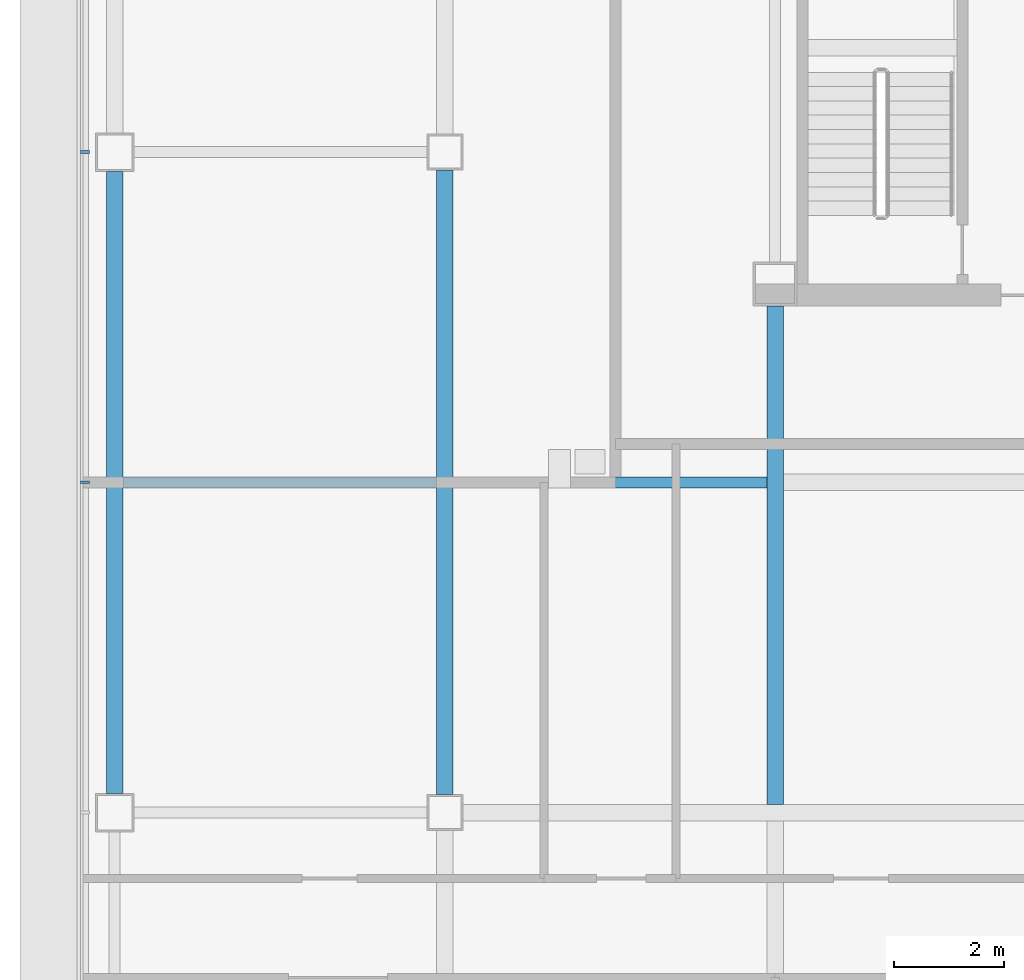
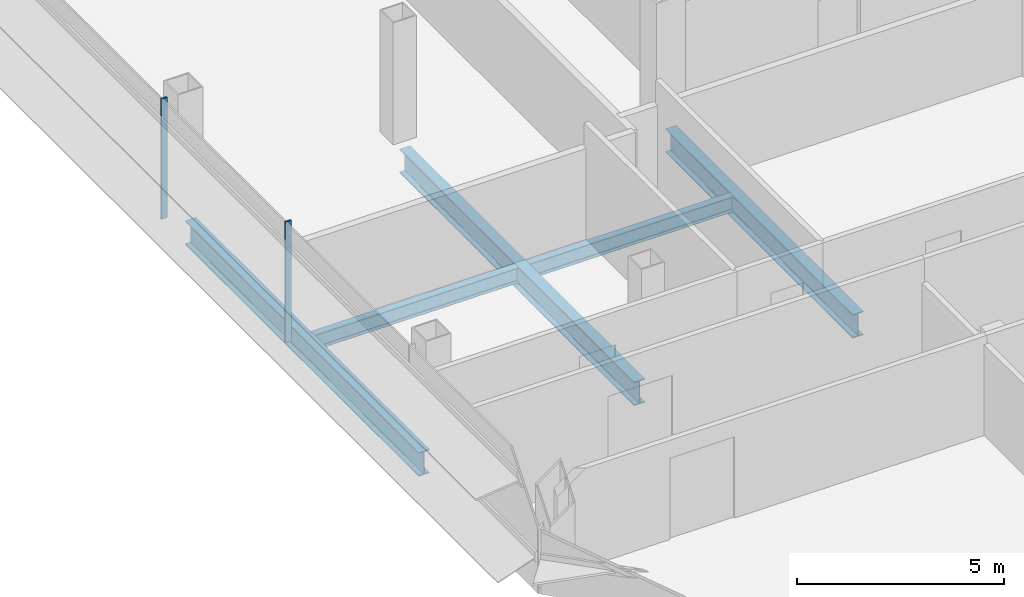
# One storey, part 4 of 26: 5 beams, 2 members, 1 element without a shape of its own.
"""IFC4 building model written with IfcOpenShell, lengths in metres."""

import ifcopenshell
import ifcopenshell.guid

model = None  # the IFC model being written
_history = None  # IfcOwnerHistory: only IFC2X3 demands one
_inside = {}  # id of a spatial element -> (the spatial element, [elements in it])
_under = {}  # id of a project, library or spatial element -> (it, [spatial elements below it])
_declared = {}  # id of a project -> (the project, [libraries it declares])
_typed = {}  # id of a type object -> (the type object, [elements of that type])
_made_of = {}  # id of a material, layer set ... -> (it, [elements and type objects made of it])


def new_model(schema):
    """Start an empty IFC model of exactly this schema.

    Asked for "IFC4X3", IfcOpenShell would pick the latest addendum, in which some entities
    have other attributes; the version numbers below select the first issue.
    IFC2X3 requires an IfcOwnerHistory on every rooted entity: one is made here for all.
    """
    global model, _history
    if schema == "IFC4X3":
        model = ifcopenshell.file(schema_version=(4, 3, 0, 0))
    else:
        model = ifcopenshell.file(schema=schema)
    _inside.clear()
    _under.clear()
    _declared.clear()
    _typed.clear()
    _made_of.clear()
    _history = None
    if model.schema == "IFC2X3":
        org = make("IfcOrganization", Name="unknown")
        user = make(
            "IfcPersonAndOrganization",
            ThePerson=make("IfcPerson", FamilyName="unknown"),
            TheOrganization=org,
        )
        app = make(
            "IfcApplication",
            ApplicationDeveloper=org,
            Version="unknown",
            ApplicationFullName="unknown",
            ApplicationIdentifier="unknown",
        )
        _history = make(
            "IfcOwnerHistory",
            OwningUser=user,
            OwningApplication=app,
            ChangeAction="ADDED",
            CreationDate=0,
        )
    return model


def make(cls, **values):
    """One entity of the class cls with the attributes given. An attribute that is None is left unset."""
    return model.create_entity(
        cls, **{name: value for name, value in values.items() if value is not None}
    )


def rooted(cls, **values):
    """An entity with a GlobalId (a new one), such as an element, a storey or a relation."""
    return make(cls, GlobalId=ifcopenshell.guid.new(), OwnerHistory=_history, **values)


def si_unit(unit_type, name, prefix=None):
    """IfcSIUnit, for example si_unit("LENGTHUNIT", "METRE", prefix="MILLI")."""
    return make("IfcSIUnit", UnitType=unit_type, Prefix=prefix, Name=name)


def assignment(units):
    """IfcUnitAssignment: the units of a project."""
    return None if units is None else make("IfcUnitAssignment", Units=units)


def point(xyz):
    """IfcCartesianPoint."""
    return None if xyz is None else make("IfcCartesianPoint", Coordinates=xyz)


def direction(xyz):
    """IfcDirection."""
    return None if xyz is None else make("IfcDirection", DirectionRatios=xyz)


def frame(location, z_axis=None, x_axis=None):
    """IfcAxis2Placement3D, a coordinate frame: its origin and axes. An axis left out is left unset."""
    return make(
        "IfcAxis2Placement3D",
        Location=point(location),
        Axis=direction(z_axis),
        RefDirection=direction(x_axis),
    )


def frame_2d(location, x_axis=None):
    """IfcAxis2Placement2D, a coordinate frame in the plane: its origin and x axis."""
    return make(
        "IfcAxis2Placement2D", Location=point(location), RefDirection=direction(x_axis)
    )


def origin():
    """The frame at (0, 0, 0) with its axes left unset."""
    return frame((0.0, 0.0, 0.0))


def origin_2d():
    """The frame at (0, 0) in the plane with its x axis left unset."""
    return frame_2d((0.0, 0.0))


def place(relative_to, where):
    """IfcLocalPlacement: puts the frame where relative to a parent placement (None: the world)."""
    return make(
        "IfcLocalPlacement", PlacementRelTo=relative_to, RelativePlacement=where
    )


def context(
    kind, dimensions, precision=None, world=None, true_north=None, identifier=None
):
    """IfcGeometricRepresentationContext, for example the 3D "Model" context."""
    return make(
        "IfcGeometricRepresentationContext",
        ContextIdentifier=identifier,
        ContextType=kind,
        CoordinateSpaceDimension=dimensions,
        Precision=precision,
        WorldCoordinateSystem=world,
        TrueNorth=true_north,
    )


def subcontext(parent, identifier, kind, view, scale=None):
    """IfcGeometricRepresentationSubContext, for example "Body" below "Model"."""
    return make(
        "IfcGeometricRepresentationSubContext",
        ContextIdentifier=identifier,
        ContextType=kind,
        ParentContext=parent,
        TargetScale=scale,
        TargetView=view,
    )


def project(units=None, contexts=None):
    """IfcProject with its units and contexts."""
    return rooted(
        "IfcProject",
        Name="project",
        RepresentationContexts=contexts,
        UnitsInContext=assignment(units),
    )


def spatial(cls, under=None, at=None, **own):
    """A site, building, storey or space (cls), placed at a placement, below another one or the project."""
    s = rooted(cls, ObjectPlacement=at, **own)
    if under is not None:
        _under.setdefault(under.id(), (under, []))[1].append(s)
    return s


def profile(cls, at=None, kind="AREA", **sizes):
    """A parametric profile (cls). Its sizes go by their IFC names, for example OverallWidth=200.0."""
    return make(cls, ProfileType=kind, Position=at, **sizes)


def rectangle(**sizes):
    """IfcRectangleProfileDef."""
    return profile("IfcRectangleProfileDef", **sizes)


def i_section(**sizes):
    """IfcIShapeProfileDef."""
    return profile("IfcIShapeProfileDef", **sizes)


def extrude(swept, where, along, depth):
    """IfcExtrudedAreaSolid: the profile swept, set in the frame where, extruded along a direction by depth."""
    return make(
        "IfcExtrudedAreaSolid",
        SweptArea=swept,
        Position=where,
        ExtrudedDirection=direction(along),
        Depth=depth,
    )


def shape(context_of_items, identifier, shape_type, items):
    """IfcShapeRepresentation: the items that make up one representation, for example the "Body"."""
    return make(
        "IfcShapeRepresentation",
        ContextOfItems=context_of_items,
        RepresentationIdentifier=identifier,
        RepresentationType=shape_type,
        Items=items,
    )


def material(Name=None, Category=None):
    """IfcMaterial."""
    return make("IfcMaterial", Name=Name, Category=Category)


def material_profile(
    of_material, cross_section, Name=None, Category=None, Priority=None
):
    """IfcMaterialProfile: a cross section and its material."""
    return make(
        "IfcMaterialProfile",
        Name=Name,
        Material=of_material,
        Profile=cross_section,
        Priority=Priority,
        Category=Category,
    )


def profile_set(profiles, Name=None, composite=None):
    """IfcMaterialProfileSet."""
    return make(
        "IfcMaterialProfileSet",
        Name=Name,
        MaterialProfiles=profiles,
        CompositeProfile=composite,
    )


def made_of(thing, what):
    """Note that an element or type object is made of a material, layer set ...; save() writes the relation."""
    if what is not None:
        _made_of.setdefault(what.id(), (what, []))[1].append(thing)
    return thing


def type_object(cls, material=None, **own):
    """A type object (cls), such as IfcWallType, which elements share."""
    return made_of(rooted(cls, **own), material)


def element(
    cls,
    number,
    at=None,
    inside=None,
    cuts=None,
    type_object=None,
    material=None,
    context=None,
    identifier="Body",
    shape_type=None,
    held_by="IfcProductDefinitionShape",
    body=None,
    shapes=None,
    **own,
):
    """One element of the class cls, such as IfcWall. Its Tag is "e" and its number.

    at: its placement. inside: the storey or other place that contains it. cuts: it is an
    opening in that element (IfcRelVoidsElement). A single representation is given by context,
    identifier, shape_type and body (its items); several are given by shapes. held_by: the class
    of the entity that holds the representations. save() writes the other relations.
    """
    e = rooted(cls, Tag="e%d" % number, ObjectPlacement=at, **own)
    if body is not None:
        shapes = [shape(context, identifier, shape_type, body)]
    if shapes is not None:
        e.Representation = make(held_by, Representations=shapes)
    if inside is not None:
        _inside.setdefault(inside.id(), (inside, []))[1].append(e)
    if cuts is not None:
        rooted(
            "IfcRelVoidsElement", RelatingBuildingElement=cuts, RelatedOpeningElement=e
        )
    if type_object is not None:
        _typed.setdefault(type_object.id(), (type_object, []))[1].append(e)
    return made_of(e, material)


def aggregate(whole, parts):
    """IfcRelAggregates: a whole, such as a stair, and the parts it consists of."""
    return rooted("IfcRelAggregates", RelatingObject=whole, RelatedObjects=parts)


def save(model, path):
    """Write the relations noted so far, then the file.

    IfcRelAggregates (storeys below a building ...), IfcRelContainedInSpatialStructure (elements
    in a storey), IfcRelDefinesByType, IfcRelAssociatesMaterial and IfcRelDeclares: one each for
    every whole, place, type object, material and project.
    """
    for whole, parts in _under.values():
        aggregate(whole, parts)
    for where, things in _inside.values():
        rooted(
            "IfcRelContainedInSpatialStructure",
            RelatedElements=things,
            RelatingStructure=where,
        )
    for kind, things in _typed.values():
        rooted("IfcRelDefinesByType", RelatedObjects=things, RelatingType=kind)
    for what, things in _made_of.values():
        rooted("IfcRelAssociatesMaterial", RelatedObjects=things, RelatingMaterial=what)
    for by, libraries in _declared.values():
        rooted("IfcRelDeclares", RelatingContext=by, RelatedDefinitions=libraries)
    model.write(path)


model = new_model("IFC4")

# Units and contexts
model_context = context("Model", 3, precision=1e-05, world=origin(), true_north=direction((0.0, 1.0)))
body_context = subcontext(model_context, "Body", "Model", "MODEL_VIEW")
ifc_project = project(units=[si_unit("LENGTHUNIT", "METRE"), si_unit("AREAUNIT", "SQUARE_METRE"), si_unit("VOLUMEUNIT", "CUBIC_METRE"), si_unit("PLANEANGLEUNIT", "RADIAN"), si_unit("MASSUNIT", "GRAM", prefix="KILO")], contexts=[model_context])

# Site, building, storey
site_placement = place(None, origin())
site = spatial("IfcSite", under=ifc_project, at=site_placement, CompositionType="ELEMENT")
building_placement = place(site_placement, origin())
building = spatial("IfcBuilding", under=site, at=building_placement, Name="Sorahane Residences", CompositionType="ELEMENT")
storey_placement = place(building_placement, frame((0.0, 0.0, 158.199951171875)))
storey = spatial("IfcBuildingStorey", under=building, at=storey_placement, Name="L36", CompositionType="ELEMENT", Elevation=158.199951171875)

# Curtain wall, members
ifc_material_1 = material(Name="Dark low-e glass and black anodised aluminium", Category="aluminium")
curtain_wall_type = type_object("IfcCurtainWallType", Name="Curtain wall CW-1 Typical unitised wall", PredefinedType="NOTDEFINED", material=ifc_material_1)
curtain_wall_placement = place(storey_placement, origin())
curtain_wall = element("IfcCurtainWall", 1, at=curtain_wall_placement, inside=storey, type_object=curtain_wall_type, Name="CW-1 curtain wall L36 W1", PredefinedType="NOTDEFINED")
ifc_material_2 = material(Name="Black anodised aluminium", Category="aluminium")
ifc_material_profile_1 = material_profile(ifc_material_2, rectangle(XDim=0.159912109375, YDim=0.050048828125, at=origin_2d()), Name="Curtain wall mullion CW-1 black anodised aluminium 50x160")
ifc_profile_set_1 = profile_set([ifc_material_profile_1], Name="Black anodised aluminium")
member_type = type_object("IfcMemberType", Name="Curtain wall mullion CW-1 black anodised aluminium 50x160", PredefinedType="MULLION", material=ifc_profile_set_1)
member_1_placement = place(storey_placement, frame((-6.5400390625, 24.0, -0.179931640625), z_axis=(0.0, 0.0, 1.0), x_axis=(-1.0, 0.0, 0.0)))
member_1 = element("IfcMember", 2, at=member_1_placement, type_object=member_type, Name="CW-1 mullion L36 W1.4", PredefinedType="MULLION", context=body_context, shape_type="SweptSolid", body=[
    extrude(rectangle(XDim=0.159912109375, YDim=0.050048828125, at=origin_2d()), origin(), (0.0, 0.0, 1.0), 3.56005859375),
])
member_2_placement = place(storey_placement, frame((-6.5400390625, 18.0, -0.179931640625), z_axis=(0.0, 0.0, 1.0), x_axis=(-1.0, 0.0, 0.0)))
member_2 = element("IfcMember", 3, at=member_2_placement, type_object=member_type, Name="CW-1 mullion L36 W1.5", PredefinedType="MULLION", context=body_context, shape_type="SweptSolid", body=[
    extrude(rectangle(XDim=0.159912109375, YDim=0.050048828125, at=origin_2d()), origin(), (0.0, 0.0, 1.0), 3.56005859375),
])
aggregate(curtain_wall, [member_1, member_2])

# Beams
ifc_material_3 = material(Name="Steel Q355B", Category="steel")
ifc_material_profile_2 = material_profile(ifc_material_3, i_section(OverallWidth=0.199951171875, OverallDepth=0.449951171875, WebThickness=0.009033203125, FlangeThickness=0.013916015625, FilletRadius=0.02001953125, at=origin_2d()), Name="HN 450x200x9x14")
ifc_profile_set_2 = profile_set([ifc_material_profile_2], Name="Steel Q355B")
beam_type_1 = type_object("IfcBeamType", Name="Steel floor beam HN 450x200x9x14 Q355B", PredefinedType="BEAM", material=ifc_profile_set_2)
for number, where, z_axis, x_axis, name in (
    (4, (-5.85009765625, 18.0, -0.405029296875), (1.0, 0.0, 0.0), (0.0, 1.0, 0.0), "Beam L36 078"),
    (5, (0.14990234375, 18.0, -0.405029296875), (1.0, 0.0, 0.0), (0.0, 1.0, 0.0), "Beam L36 079"),
):
    element("IfcBeam", number, at=place(storey_placement, frame(where, z_axis=z_axis, x_axis=x_axis)), inside=storey, type_object=beam_type_1, Name=name, PredefinedType="BEAM", context=body_context, shape_type="SweptSolid", body=[
        extrude(i_section(OverallWidth=0.199951171875, OverallDepth=0.449951171875, WebThickness=0.009033203125, FlangeThickness=0.013916015625, FilletRadius=0.02001953125, at=origin_2d()), origin(), (0.0, 0.0, 1.0), 5.7001953125),
    ])
ifc_material_4 = material(Name="Steel Q355B", Category="steel")
ifc_material_profile_3 = material_profile(ifc_material_4, i_section(OverallWidth=0.300048828125, OverallDepth=0.699951171875, WebThickness=0.012939453125, FlangeThickness=0.02392578125, FilletRadius=0.028076171875, at=origin_2d()), Name="HN 700x300x13x24")
ifc_profile_set_3 = profile_set([ifc_material_profile_3], Name="Steel Q355B")
beam_type_2 = type_object("IfcBeamType", Name="Steel floor beam HN 700x300x13x24 Q355B", PredefinedType="BEAM", material=ifc_profile_set_3)
beam_1_placement = place(storey_placement, frame((-6.0, 12.35009765625, -0.530029296875), z_axis=(0.0, 1.0, 0.0), x_axis=(-1.0, 0.0, 0.0)))
element("IfcBeam", 6, at=beam_1_placement, inside=storey, type_object=beam_type_2, Name="Beam L36 021", PredefinedType="BEAM", context=body_context, shape_type="SweptSolid", body=[
    extrude(i_section(OverallWidth=0.300048828125, OverallDepth=0.699951171875, WebThickness=0.012939453125, FlangeThickness=0.02392578125, FilletRadius=0.028076171875, at=origin_2d()), origin(), (0.0, 0.0, 1.0), 11.2998046875),
])
beam_2_placement = place(storey_placement, frame((0.0, 12.324951171875, -0.530029296875), z_axis=(0.0, 1.0, 0.0), x_axis=(-1.0, 0.0, 0.0)))
element("IfcBeam", 7, at=beam_2_placement, inside=storey, type_object=beam_type_2, Name="Beam L36 025", PredefinedType="BEAM", context=body_context, shape_type="SweptSolid", body=[
    extrude(i_section(OverallWidth=0.300048828125, OverallDepth=0.699951171875, WebThickness=0.012939453125, FlangeThickness=0.02392578125, FilletRadius=0.028076171875, at=origin_2d()), origin(), (0.0, 0.0, 1.0), 11.35009765625),
])
beam_3_placement = place(storey_placement, frame((6.0, 12.14990234375, -0.530029296875), z_axis=(0.0, 1.0, 0.0), x_axis=(-1.0, 0.0, 0.0)))
element("IfcBeam", 8, at=beam_3_placement, inside=storey, type_object=beam_type_2, Name="Beam L36 029", PredefinedType="BEAM", context=body_context, shape_type="SweptSolid", body=[
    extrude(i_section(OverallWidth=0.300048828125, OverallDepth=0.699951171875, WebThickness=0.012939453125, FlangeThickness=0.02392578125, FilletRadius=0.028076171875, at=origin_2d()), origin(), (0.0, 0.0, 1.0), 9.050048828125),
])

save(model, "model.ifc")
